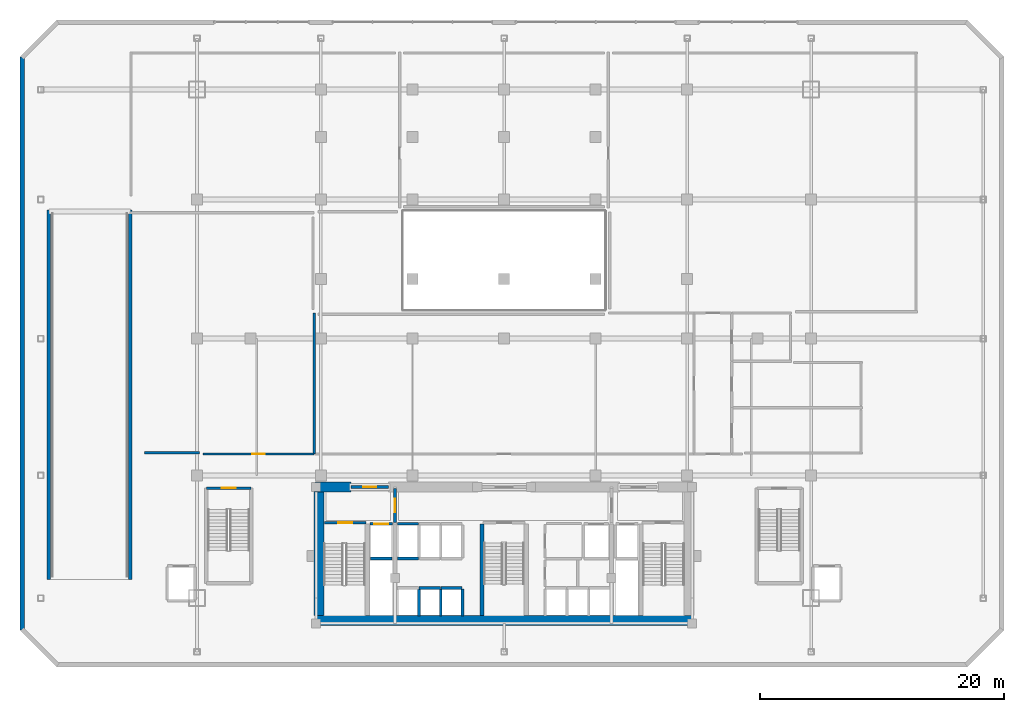
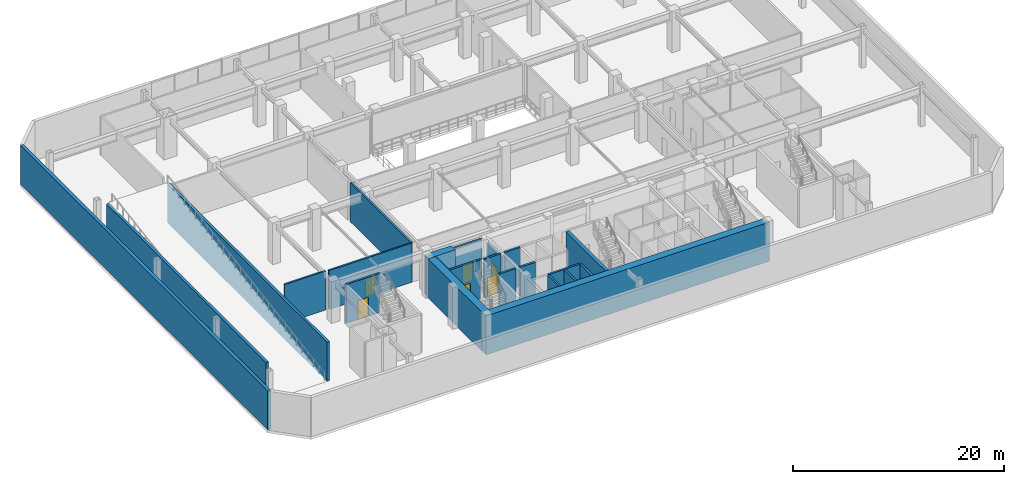
# One storey, part 11 of 16: 23 walls, 6 doors, 6 openings.
"""IFC4 building model written with IfcOpenShell, lengths in metres."""

from ifc_helpers import new_model, si_unit, direction, frame, frame_2d, origin, place, context, subcontext, project, spatial, rectangle, extrude, material, layer, layer_set, type_object, element, fill, save


model = new_model("IFC4")

# Units and contexts
model_context = context("Model", 3, precision=1e-05, world=origin(), true_north=direction((0.0, 1.0)))
body_context = subcontext(model_context, "Body", "Model", "MODEL_VIEW")
ifc_project = project(units=[si_unit("LENGTHUNIT", "METRE"), si_unit("AREAUNIT", "SQUARE_METRE"), si_unit("VOLUMEUNIT", "CUBIC_METRE"), si_unit("PLANEANGLEUNIT", "RADIAN"), si_unit("MASSUNIT", "GRAM", prefix="KILO")], contexts=[model_context])

# Site, building, storey
site_placement = place(None, origin())
site = spatial("IfcSite", under=ifc_project, at=site_placement, CompositionType="ELEMENT")
building_placement = place(site_placement, origin())
building = spatial("IfcBuilding", under=site, at=building_placement, Name="Ventersveld Concourse Tower", CompositionType="ELEMENT")
storey_placement = place(building_placement, frame((0.0, 0.0, 10.199951171875)))
storey = spatial("IfcBuildingStorey", under=building, at=storey_placement, Name="L02", CompositionType="ELEMENT", Elevation=10.199951171875)

# Walls
ifc_material_1 = material(Name="Concrete C60/75", Category="concrete")
ifc_layer_1 = layer(ifc_material_1, 0.35009765625)
ifc_layer_set_1 = layer_set([ifc_layer_1], Name="Concrete C60/75")
wall_type_1 = type_object("IfcWallType", Name="WL-CORE-350L", PredefinedType="SHEAR", material=ifc_layer_set_1)
wall_1_placement = place(storey_placement, frame((26.93994140625, 0.919921875, 0.0), z_axis=(0.0, 0.0, 1.0), x_axis=(0.0, 1.0, 0.0)))
element("IfcWall", 1, at=wall_1_placement, inside=storey, type_object=wall_type_1, Name="L02 Core Internal Shear Web W-ST3-W", PredefinedType="SHEAR", context=body_context, shape_type="SweptSolid", body=[
    extrude(rectangle(XDim=7.5, YDim=0.35009765625, at=frame_2d((3.75, 0.0))), origin(), (0.0, 0.0, 1.0), 4.52001953125),
])
ifc_layer_2 = layer(ifc_material_1, 0.800048828125)
ifc_layer_set_2 = layer_set([ifc_layer_2], Name="Concrete C60/75")
wall_type_2 = type_object("IfcWallType", Name="WL-CORE-800", PredefinedType="SHEAR", material=ifc_layer_set_2)
wall_2_placement = place(storey_placement, frame((13.25, 0.52001953125, 0.0), z_axis=(0.0, 0.0, 1.0), x_axis=(1.0, 0.0, 0.0)))
element("IfcWall", 2, at=wall_2_placement, inside=storey, type_object=wall_type_2, Name="L02 Rear Core South Shear Wall", PredefinedType="SHEAR", context=body_context, shape_type="SweptSolid", body=[
    extrude(rectangle(XDim=31.0, YDim=0.800048828125, at=frame_2d((15.5, 0.0))), origin(), (0.0, 0.0, 1.0), 4.52001953125),
])
wall_3_placement = place(storey_placement, frame((13.60009765625, 0.919921875, 0.0), z_axis=(0.0, 0.0, 1.0), x_axis=(0.0, 1.0, 0.0)))
element("IfcWall", 3, at=wall_3_placement, inside=storey, type_object=wall_type_2, Name="L02 Rear Core West Shear Wall", PredefinedType="SHEAR", context=body_context, shape_type="SweptSolid", body=[
    extrude(rectangle(XDim=10.530029296875, YDim=0.800048828125, at=frame_2d((5.26513671875, 0.0))), origin(), (0.0, 0.0, 1.0), 4.52001953125),
])
wall_4_placement = place(storey_placement, frame((13.25, 11.449951171875, 0.0), z_axis=(0.0, 0.0, 1.0), x_axis=(1.0, 0.0, 0.0)))
element("IfcWall", 4, at=wall_4_placement, inside=storey, type_object=wall_type_2, Name="L02 Rear Core North Shear Wall NW", PredefinedType="SHEAR", context=body_context, shape_type="SweptSolid", body=[
    extrude(rectangle(XDim=2.949951171875, YDim=0.800048828125, at=frame_2d((1.47509765625, 0.0))), origin(), (0.0, 0.0, 1.0), 4.52001953125),
])

# Wall, opening, door
ifc_material_2 = material(Name="Fire-rated autoclaved aerated masonry blockwork", Category="masonry")
ifc_layer_3 = layer(ifc_material_2, 0.179931640625)
ifc_layer_set_3 = layer_set([ifc_layer_3], Name="Fire-rated autoclaved aerated masonry blockwork")
wall_type_3 = type_object("IfcWallType", Name="WL-CORR-180", PredefinedType="PARTITIONING", material=ifc_layer_set_3)
wall_5_placement = place(storey_placement, frame((4.10498046875, 14.14990234375, 0.0), z_axis=(0.0, 0.0, 1.0), x_axis=(1.0, 0.0, 0.0)))
wall_5 = element("IfcWall", 5, at=wall_5_placement, inside=storey, type_object=wall_type_3, Name="L02 Interior Partition SP-L02-COR-SP-L02-OFF1", PredefinedType="PARTITIONING", context=body_context, shape_type="SweptSolid", body=[
    extrude(rectangle(XDim=9.070068359375, YDim=0.179931640625, at=frame_2d((4.53515625, 0.0))), origin(), (0.0, 0.0, 1.0), 4.52001953125),
])
opening_1_placement = place(wall_5_placement, frame((4.034912109375, 0.0, 0.0)))
opening_1 = element("IfcOpeningElement", 6, at=opening_1_placement, cuts=wall_5, Name="Opening FD3", PredefinedType="OPENING", context=body_context, shape_type="SweptSolid", body=[
    extrude(rectangle(XDim=1.0, YDim=2.14990234375, at=frame_2d((0.5, 1.074951171875))), frame((0.0, 0.10009765625, 0.0), z_axis=(0.0, -1.0, 0.0), x_axis=(1.0, 0.0, 0.0)), (0.0, 0.0, 1.0), 0.199951171875),
])
ifc_material_3 = material(Name="Solid-core hardwood veneer timber", Category="wood")
door_type_1 = type_object("IfcDoorType", Name="DR-FLAT-100", OperationType="NOTDEFINED", PredefinedType="DOOR", material=ifc_material_3)
door_1_placement = place(opening_1_placement, origin())
door_1 = element("IfcDoor", 7, at=door_1_placement, inside=storey, type_object=door_type_1, Name="L02 Interior Door SP-L02-COR to SP-L02-OFF1 (D-L02-0110)", OperationType="SINGLE_SWING_RIGHT", OverallHeight=2.14990234375, OverallWidth=1.0, PredefinedType="DOOR", context=body_context, shape_type="SweptSolid", body=[
    extrude(rectangle(XDim=1.0, YDim=2.14990234375, at=frame_2d((0.5, 1.074951171875))), frame((0.0, 0.02490234375, 0.0), z_axis=(0.0, -1.0, 0.0), x_axis=(1.0, 0.0, 0.0)), (0.0, 0.0, 1.0), 0.050048828125),
])
fill(opening_1, door_1)

# Walls
wall_6_placement = place(storey_placement, frame((-0.705078125, 14.25, 0.0), z_axis=(0.0, 0.0, 1.0), x_axis=(1.0, 0.0, 0.0)))
element("IfcWall", 8, at=wall_6_placement, inside=storey, type_object=wall_type_3, Name="L02 Room Enclosure Wall SP-L02-OFF1", PredefinedType="PARTITIONING", context=body_context, shape_type="SweptSolid", body=[
    extrude(rectangle(XDim=4.49755859375, YDim=0.179931640625, at=frame_2d((2.248779296875, 0.0))), origin(), (0.0, 0.0, 1.0), 4.52001953125),
])
ifc_layer_4 = layer(ifc_material_2, 0.199951171875)
ifc_layer_set_4 = layer_set([ifc_layer_4], Name="Fire-rated autoclaved aerated masonry blockwork")
wall_type_4 = type_object("IfcWallType", Name="WL-DEMISE-200", PredefinedType="PARTITIONING", material=ifc_layer_set_4)
wall_7_placement = place(storey_placement, frame((13.199951171875, 14.155029296875, 0.0), z_axis=(0.0, 0.0, 1.0), x_axis=(0.0, 1.0, 0.0)))
element("IfcWall", 9, at=wall_7_placement, inside=storey, type_object=wall_type_4, Name="L02 Interior Partition SP-L02-OFFC-SP-L02-OFF1", PredefinedType="PARTITIONING", context=body_context, shape_type="SweptSolid", body=[
    extrude(rectangle(XDim=11.5400390625, YDim=0.199951171875, at=frame_2d((5.77001953125, 0.0))), origin(), (0.0, 0.0, 1.0), 4.52001953125),
])
ifc_layer_5 = layer(ifc_material_2, 0.219970703125)
ifc_layer_set_5 = layer_set([ifc_layer_5], Name="Fire-rated autoclaved aerated masonry blockwork")
wall_type_5 = type_object("IfcWallType", Name="WL-HOIST-220", PredefinedType="SOLIDWALL", material=ifc_layer_set_5)
wall_8_placement = place(storey_placement, frame((17.800048828125, 5.590087890625, 0.0), z_axis=(0.0, 0.0, 1.0), x_axis=(1.0, 0.0, 0.0)))
element("IfcWall", 10, at=wall_8_placement, inside=storey, type_object=wall_type_5, Name="L02 Lift Hoistway Back Wall FFL-01", PredefinedType="SOLIDWALL", context=body_context, shape_type="SweptSolid", body=[
    extrude(rectangle(XDim=1.780029296875, YDim=0.219970703125, at=frame_2d((0.89013671875, 0.0))), origin(), (0.0, 0.0, 1.0), 4.52001953125),
])

# Wall, opening, door
wall_9_placement = place(storey_placement, frame((17.780029296875, 8.429931640625, 0.0), z_axis=(0.0, 0.0, 1.0), x_axis=(1.0, 0.0, 0.0)))
wall_9 = element("IfcWall", 11, at=wall_9_placement, inside=storey, type_object=wall_type_5, Name="L02 Lift Hoistway Front Wall FFL-01", PredefinedType="SOLIDWALL", context=body_context, shape_type="SweptSolid", body=[
    extrude(rectangle(XDim=1.820068359375, YDim=0.219970703125, at=frame_2d((0.91015625, 0.0))), origin(), (0.0, 0.0, 1.0), 4.52001953125),
])
opening_2_placement = place(wall_9_placement, frame((0.35009765625, 0.0, 0.0)))
opening_2 = element("IfcOpeningElement", 12, at=opening_2_placement, cuts=wall_9, Name="Opening LD1", PredefinedType="OPENING", context=body_context, shape_type="SweptSolid", body=[
    extrude(rectangle(XDim=1.1201171875, YDim=2.25, at=frame_2d((0.56005859375, 1.125))), frame((0.0, 0.1201171875, 0.0), z_axis=(0.0, -1.0, 0.0), x_axis=(1.0, 0.0, 0.0)), (0.0, 0.0, 1.0), 0.239990234375),
])
ifc_material_4 = material(Name="Brushed stainless steel 316", Category="steel")
door_type_2 = type_object("IfcDoorType", Name="LD-FF-112", OperationType="SLIDING_TO_LEFT", PredefinedType="DOOR", material=ifc_material_4)
door_2_placement = place(opening_2_placement, origin())
door_2 = element("IfcDoor", 13, at=door_2_placement, inside=storey, type_object=door_type_2, Name="L02 Lift landing door FFL-01 (LD-L02-FFL-01)", OperationType="SLIDING_TO_RIGHT", OverallHeight=2.25, OverallWidth=1.1201171875, PredefinedType="DOOR", context=body_context, shape_type="SweptSolid", body=[
    extrude(rectangle(XDim=1.1201171875, YDim=2.25, at=frame_2d((0.56005859375, 1.125))), frame((0.0, 0.02490234375, 0.0), z_axis=(0.0, -1.0, 0.0), x_axis=(1.0, 0.0, 0.0)), (0.0, 0.0, 1.0), 0.050048828125),
])
fill(opening_2, door_2)

# Walls
for number, where, z_axis, x_axis, name in (
    (14, (21.780029296875, 0.89990234375, 0.0), (0.0, 0.0, 1.0), (0.0, 1.0, 0.0), "L02 Lift Hoistway Side Wall PL-01E"),
    (15, (23.56005859375, 0.89990234375, 0.0), (0.0, 0.0, 1.0), (0.0, 1.0, 0.0), "L02 Lift Hoistway Side Wall PL-02E"),
):
    element("IfcWall", number, at=place(storey_placement, frame(where, z_axis=z_axis, x_axis=x_axis)), inside=storey, type_object=wall_type_5, Name=name, PredefinedType="SOLIDWALL", context=body_context, shape_type="SweptSolid", body=[
        extrude(rectangle(XDim=2.2001953125, YDim=0.219970703125, at=frame_2d((1.10009765625, 0.0))), origin(), (0.0, 0.0, 1.0), 4.52001953125),
    ])
wall_10_placement = place(storey_placement, frame((21.800048828125, 3.179931640625, 0.0), z_axis=(0.0, 0.0, 1.0), x_axis=(1.0, 0.0, 0.0)))
element("IfcWall", 16, at=wall_10_placement, inside=storey, type_object=wall_type_5, Name="L02 Lift Hoistway Front Wall PL-02", PredefinedType="SOLIDWALL", context=body_context, shape_type="SweptSolid", body=[
    extrude(rectangle(XDim=1.739990234375, YDim=0.219970703125, at=frame_2d((0.8701171875, 0.0))), origin(), (0.0, 0.0, 1.0), 4.52001953125),
])
wall_11_placement = place(storey_placement, frame((25.340087890625, 0.89990234375, 0.0), z_axis=(0.0, 0.0, 1.0), x_axis=(0.0, 1.0, 0.0)))
element("IfcWall", 17, at=wall_11_placement, inside=storey, type_object=wall_type_5, Name="L02 Lift Hoistway Side Wall PL-03E", PredefinedType="SOLIDWALL", context=body_context, shape_type="SweptSolid", body=[
    extrude(rectangle(XDim=2.2001953125, YDim=0.219970703125, at=frame_2d((1.10009765625, 0.0))), origin(), (0.0, 0.0, 1.0), 4.52001953125),
])
wall_12_placement = place(storey_placement, frame((23.580078125, 3.179931640625, 0.0), z_axis=(0.0, 0.0, 1.0), x_axis=(1.0, 0.0, 0.0)))
element("IfcWall", 18, at=wall_12_placement, inside=storey, type_object=wall_type_5, Name="L02 Lift Hoistway Front Wall PL-03", PredefinedType="SOLIDWALL", context=body_context, shape_type="SweptSolid", body=[
    extrude(rectangle(XDim=1.739990234375, YDim=0.219970703125, at=frame_2d((0.8701171875, 0.0))), origin(), (0.0, 0.0, 1.0), 4.52001953125),
])
wall_13_placement = place(storey_placement, frame((20.0400390625, 5.590087890625, 0.0), z_axis=(0.0, 0.0, 1.0), x_axis=(1.0, 0.0, 0.0)))
element("IfcWall", 19, at=wall_13_placement, inside=storey, type_object=wall_type_5, Name="L02 Lift Hoistway Back Wall PH-01", PredefinedType="SOLIDWALL", context=body_context, shape_type="SweptSolid", body=[
    extrude(rectangle(XDim=1.699951171875, YDim=0.219970703125, at=frame_2d((0.85009765625, 0.0))), origin(), (0.0, 0.0, 1.0), 4.52001953125),
])
wall_14_placement = place(storey_placement, frame((20.02001953125, 8.429931640625, 0.0), z_axis=(0.0, 0.0, 1.0), x_axis=(1.0, 0.0, 0.0)))
element("IfcWall", 20, at=wall_14_placement, inside=storey, type_object=wall_type_5, Name="L02 Lift Hoistway Front Wall PH-01", PredefinedType="SOLIDWALL", context=body_context, shape_type="SweptSolid", body=[
    extrude(rectangle(XDim=1.739990234375, YDim=0.219970703125, at=frame_2d((0.8701171875, 0.0))), origin(), (0.0, 0.0, 1.0), 4.52001953125),
])

# Wall, opening, door
wall_15_placement = place(storey_placement, frame((14.0400390625, 8.52001953125, 0.0), z_axis=(0.0, 0.0, 1.0), x_axis=(1.0, 0.0, 0.0)))
wall_15 = element("IfcWall", 21, at=wall_15_placement, inside=storey, type_object=wall_type_5, Name="L02 Escape Stair ST01 Fire Wall", PredefinedType="SOLIDWALL", context=body_context, shape_type="SweptSolid", body=[
    extrude(rectangle(XDim=3.39990234375, YDim=0.219970703125, at=frame_2d((1.699951171875, 0.0))), origin(), (0.0, 0.0, 1.0), 4.52001953125),
])
opening_3_placement = place(wall_15_placement, frame((1.125, 0.0, 0.0)))
opening_3 = element("IfcOpeningElement", 22, at=opening_3_placement, cuts=wall_15, Name="Opening FD1", PredefinedType="OPENING", context=body_context, shape_type="SweptSolid", body=[
    extrude(rectangle(XDim=1.14990234375, YDim=2.199951171875, at=frame_2d((0.574951171875, 1.10009765625))), frame((0.0, 0.1201171875, 0.0), z_axis=(0.0, -1.0, 0.0), x_axis=(1.0, 0.0, 0.0)), (0.0, 0.0, 1.0), 0.239990234375),
])
ifc_material_5 = material(Name="Galvanised painted steel", Category="steel")
door_type_3 = type_object("IfcDoorType", Name="DR-STAIR-115", OperationType="NOTDEFINED", PredefinedType="DOOR", material=ifc_material_5)
door_3_placement = place(opening_3_placement, origin())
door_3 = element("IfcDoor", 23, at=door_3_placement, inside=storey, type_object=door_type_3, Name="L02 Escape Stair Door ST01 (SD-L02-0097)", OperationType="SINGLE_SWING_LEFT", OverallHeight=2.199951171875, OverallWidth=1.14990234375, PredefinedType="DOOR", context=body_context, shape_type="SweptSolid", body=[
    extrude(rectangle(XDim=1.14990234375, YDim=2.199951171875, at=frame_2d((0.574951171875, 1.10009765625))), frame((0.0, 0.02490234375, 0.0), z_axis=(0.0, -1.0, 0.0), x_axis=(1.0, 0.0, 0.0)), (0.0, 0.0, 1.0), 0.050048828125),
])
fill(opening_3, door_3)

wall_16_placement = place(storey_placement, frame((4.360107421875, 11.35009765625, 0.0), z_axis=(0.0, 0.0, 1.0), x_axis=(1.0, 0.0, 0.0)))
wall_16 = element("IfcWall", 24, at=wall_16_placement, inside=storey, type_object=wall_type_5, Name="L02 Escape Stair ST04 Fire Wall", PredefinedType="SOLIDWALL", context=body_context, shape_type="SweptSolid", body=[
    extrude(rectangle(XDim=3.679931640625, YDim=0.219970703125, at=frame_2d((1.83984375, 0.0))), origin(), (0.0, 0.0, 1.0), 4.52001953125),
])
opening_4_placement = place(wall_16_placement, frame((1.264892578125, 0.0, 0.0)))
opening_4 = element("IfcOpeningElement", 25, at=opening_4_placement, cuts=wall_16, Name="Opening FD1", PredefinedType="OPENING", context=body_context, shape_type="SweptSolid", body=[
    extrude(rectangle(XDim=1.14990234375, YDim=2.199951171875, at=frame_2d((0.574951171875, 1.10009765625))), frame((0.0, 0.1201171875, 0.0), z_axis=(0.0, -1.0, 0.0), x_axis=(1.0, 0.0, 0.0)), (0.0, 0.0, 1.0), 0.239990234375),
])
door_4_placement = place(opening_4_placement, origin())
door_4 = element("IfcDoor", 26, at=door_4_placement, inside=storey, type_object=door_type_3, Name="L02 Escape Stair Door ST04 (SD-L02-0100)", OperationType="SINGLE_SWING_RIGHT", OverallHeight=2.199951171875, OverallWidth=1.14990234375, PredefinedType="DOOR", context=body_context, shape_type="SweptSolid", body=[
    extrude(rectangle(XDim=1.14990234375, YDim=2.199951171875, at=frame_2d((0.574951171875, 1.10009765625))), frame((0.0, 0.02490234375, 0.0), z_axis=(0.0, -1.0, 0.0), x_axis=(1.0, 0.0, 0.0)), (0.0, 0.0, 1.0), 0.050048828125),
])
fill(opening_4, door_4)

wall_17_placement = place(storey_placement, frame((19.820068359375, 8.52001953125, 0.0), z_axis=(0.0, 0.0, 1.0), x_axis=(0.0, 1.0, 0.0)))
wall_17 = element("IfcWall", 27, at=wall_17_placement, inside=storey, type_object=wall_type_5, Name="L02 Firefighting Lobby Smoke-Stop Wall FFLW-SEP", PredefinedType="SOLIDWALL", context=body_context, shape_type="SweptSolid", body=[
    extrude(rectangle(XDim=2.800048828125, YDim=0.219970703125, at=frame_2d((1.39990234375, 0.0))), origin(), (0.0, 0.0, 1.0), 3.9755859375),
])
opening_5_placement = place(wall_17_placement, frame((0.85009765625, 0.0, 0.0)))
opening_5 = element("IfcOpeningElement", 28, at=opening_5_placement, cuts=wall_17, Name="Opening FD2", PredefinedType="OPENING", context=body_context, shape_type="SweptSolid", body=[
    extrude(rectangle(XDim=1.10009765625, YDim=2.199951171875, at=frame_2d((0.550048828125, 1.10009765625))), frame((0.0, 0.1201171875, 0.0), z_axis=(0.0, -1.0, 0.0), x_axis=(1.0, 0.0, 0.0)), (0.0, 0.0, 1.0), 0.239990234375),
])
door_type_4 = type_object("IfcDoorType", Name="DR-FFL-110", OperationType="NOTDEFINED", PredefinedType="DOOR", material=ifc_material_5)
door_5_placement = place(opening_5_placement, origin())
door_5 = element("IfcDoor", 29, at=door_5_placement, inside=storey, type_object=door_type_4, Name="L02 Firefighting Lobby Door FFLW-SEP (FD-L02-0102)", OperationType="SINGLE_SWING_LEFT", OverallHeight=2.199951171875, OverallWidth=1.10009765625, PredefinedType="DOOR", context=body_context, shape_type="SweptSolid", body=[
    extrude(rectangle(XDim=1.10009765625, YDim=2.199951171875, at=frame_2d((0.550048828125, 1.10009765625))), frame((0.0, 0.02490234375, 0.0), z_axis=(0.0, -1.0, 0.0), x_axis=(1.0, 0.0, 0.0)), (0.0, 0.0, 1.0), 0.050048828125),
])
fill(opening_5, door_5)

wall_18_placement = place(storey_placement, frame((16.22998046875, 11.449951171875, 0.0), z_axis=(0.0, 0.0, 1.0), x_axis=(1.0, 0.0, 0.0)))
wall_18 = element("IfcWall", 30, at=wall_18_placement, inside=storey, type_object=wall_type_5, Name="L02 Core North Fire Portal FFLW-OUT", PredefinedType="SOLIDWALL", context=body_context, shape_type="SweptSolid", body=[
    extrude(rectangle(XDim=3.0400390625, YDim=0.219970703125, at=frame_2d((1.52001953125, 0.0))), origin(), (0.0, 0.0, 1.0), 4.52001953125),
])
opening_6_placement = place(wall_18_placement, frame((0.969970703125, 0.0, 0.0)))
opening_6 = element("IfcOpeningElement", 31, at=opening_6_placement, cuts=wall_18, Name="Opening FD2", PredefinedType="OPENING", context=body_context, shape_type="SweptSolid", body=[
    extrude(rectangle(XDim=1.10009765625, YDim=2.199951171875, at=frame_2d((0.550048828125, 1.10009765625))), frame((0.0, 0.1201171875, 0.0), z_axis=(0.0, -1.0, 0.0), x_axis=(1.0, 0.0, 0.0)), (0.0, 0.0, 1.0), 0.239990234375),
])
door_6_placement = place(opening_6_placement, origin())
door_6 = element("IfcDoor", 32, at=door_6_placement, inside=storey, type_object=door_type_4, Name="L02 Core Lobby Fire Door FFLW-OUT (FD-L02-0104)", OperationType="SINGLE_SWING_RIGHT", OverallHeight=2.199951171875, OverallWidth=1.10009765625, PredefinedType="DOOR", context=body_context, shape_type="SweptSolid", body=[
    extrude(rectangle(XDim=1.10009765625, YDim=2.199951171875, at=frame_2d((0.550048828125, 1.10009765625))), frame((0.0, 0.02490234375, 0.0), z_axis=(0.0, -1.0, 0.0), x_axis=(1.0, 0.0, 0.0)), (0.0, 0.0, 1.0), 0.050048828125),
])
fill(opening_6, door_6)

# Walls
ifc_material_6 = material(Name="Precast concrete C45/55", Category="concrete")
ifc_layer_6 = layer(ifc_material_6, 0.35009765625)
ifc_layer_set_6 = layer_set([ifc_layer_6], Name="Precast concrete C45/55")
wall_type_6 = type_object("IfcWallType", Name="WL-PREC-350", PredefinedType="SOLIDWALL", material=ifc_layer_set_6)
wall_19_placement = place(storey_placement, frame((-10.719970703125, 46.659912109375, 0.0), z_axis=(0.0, 0.0, 1.0), x_axis=(0.0, -1.0, 0.0)))
element("IfcWall", 33, at=wall_19_placement, inside=storey, type_object=wall_type_6, Name="L02 Podium Precast Perimeter Wall 07", PredefinedType="SOLIDWALL", context=body_context, shape_type="SweptSolid", body=[
    extrude(rectangle(XDim=46.919921875, YDim=0.35009765625, at=frame_2d((23.4599609375, 0.0))), origin(), (0.0, 0.0, 1.0), 4.52001953125),
])
ifc_material_7 = material(Name="Concrete C50/60", Category="concrete")
ifc_layer_7 = layer(ifc_material_7, 0.280029296875)
ifc_layer_set_7 = layer_set([ifc_layer_7], Name="Concrete C50/60")
wall_type_7 = type_object("IfcWallType", Name="WL-SHAFT-280", PredefinedType="SHEAR", material=ifc_layer_set_7)
for number, where, z_axis, x_axis, name in (
    (34, (-8.5400390625, 3.8798828125, 0.0), (0.0, 0.0, 1.0), (0.0, 1.0, 0.0), "L02 Ramp Structural Shaft Wall RMPW-W"),
    (35, (-1.860107421875, 3.8798828125, 0.0), (0.0, 0.0, 1.0), (0.0, 1.0, 0.0), "L02 Ramp Structural Shaft Wall RMPW-E"),
):
    element("IfcWall", number, at=place(storey_placement, frame(where, z_axis=z_axis, x_axis=x_axis)), inside=storey, type_object=wall_type_7, Name=name, PredefinedType="SHEAR", context=body_context, shape_type="SweptSolid", body=[
        extrude(rectangle(XDim=30.27001953125, YDim=0.280029296875, at=frame_2d((15.135009765625, 0.0))), origin(), (0.0, 0.0, 1.0), 4.52001953125),
    ])

save(model, "model.ifc")
